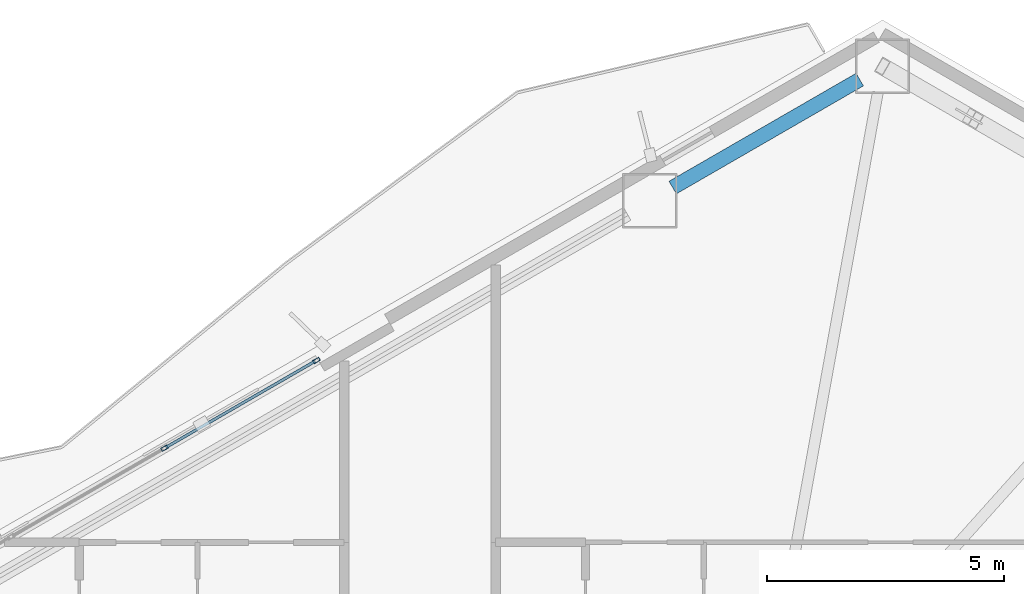
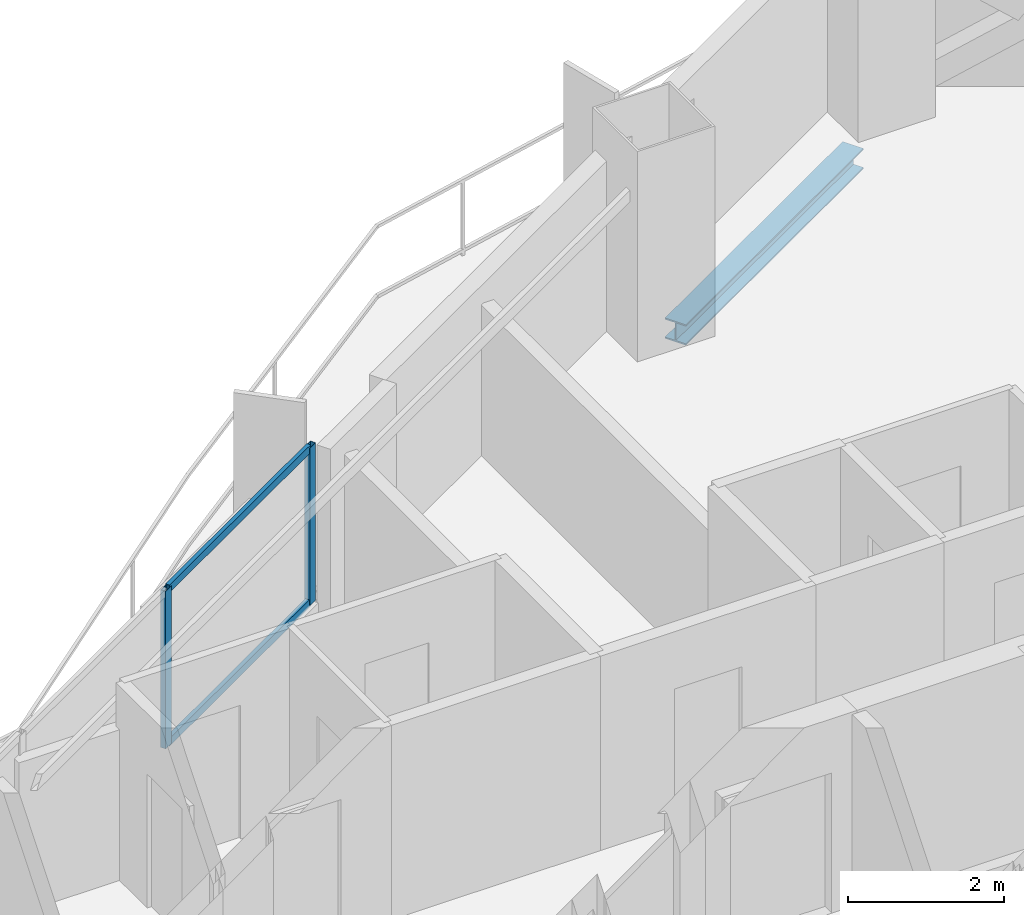
# One storey, part 13 of 22: 4 members, 1 beam, 1 element without a shape of its own.
"""IFC4 building model written with IfcOpenShell, lengths in metres."""

from ifc_helpers import new_model, si_unit, direction, frame, origin, origin_2d, place, context, subcontext, project, spatial, hollow_rectangle, i_section, extrude, material, layer, layer_set, material_profile, profile_set, type_object, element, aggregate, save


model = new_model("IFC4")

# Units and contexts
model_context = context("Model", 3, precision=1e-05, world=origin(), true_north=direction((0.0, 1.0)))
body_context = subcontext(model_context, "Body", "Model", "MODEL_VIEW")
ifc_project = project(units=[si_unit("LENGTHUNIT", "METRE"), si_unit("AREAUNIT", "SQUARE_METRE"), si_unit("VOLUMEUNIT", "CUBIC_METRE"), si_unit("PLANEANGLEUNIT", "RADIAN"), si_unit("MASSUNIT", "GRAM", prefix="KILO")], contexts=[model_context])

# Site, building, storey
site_placement = place(None, origin())
site = spatial("IfcSite", under=ifc_project, at=site_placement, CompositionType="ELEMENT")
building_placement = place(site_placement, origin())
building = spatial("IfcBuilding", under=site, at=building_placement, Name="Mersakhor Tower and Convention Hall", CompositionType="ELEMENT")
storey_placement = place(building_placement, frame((0.0, 0.0, 103.199951171875)))
storey = spatial("IfcBuildingStorey", under=building, at=storey_placement, Name="L28", CompositionType="ELEMENT", Elevation=103.199951171875)

# Beam
ifc_material_1 = material(Name="Steel S355", Category="steel")
ifc_material_profile_1 = material_profile(ifc_material_1, i_section(OverallWidth=0.30908203125, OverallDepth=0.320556640625, WebThickness=0.013916015625, FlangeThickness=0.021728515625, at=origin_2d()), Name="UC 305x305x137")
ifc_profile_set_1 = profile_set([ifc_material_profile_1], Name="Steel S355")
beam_type = type_object("IfcBeamType", Name="BM-SPD-UC305", PredefinedType="SPANDREL", material=ifc_profile_set_1)
beam_placement = place(storey_placement, frame((34.343505859375, 45.34814453125, -0.41015625), z_axis=(0.866046694585, 0.499963121439, 0.0), x_axis=(-0.499963121439, 0.866046694585, 0.0)))
element("IfcBeam", 1, at=beam_placement, inside=storey, type_object=beam_type, Name="L28 Perimeter Spandrel Beam SPB-03", PredefinedType="SPANDREL", context=body_context, shape_type="SweptSolid", body=[
    extrude(i_section(OverallWidth=0.30908203125, OverallDepth=0.320556640625, WebThickness=0.013916015625, FlangeThickness=0.021728515625, at=origin_2d()), origin(), (0.0, 0.0, 1.0), 4.566162109375),
])

# Curtain wall, members
ifc_material_2 = material(Name="Dark solar low-E aluminium curtain wall", Category="aluminium")
ifc_layer = layer(ifc_material_2, 0.159912109375)
ifc_layer_set = layer_set([ifc_layer], Name="Dark solar low-E aluminium curtain wall")
curtain_wall_type = type_object("IfcCurtainWallType", Name="CW-SYS-01", PredefinedType="USERDEFINED", material=ifc_layer_set)
curtain_wall_placement = place(storey_placement, origin())
curtain_wall = element("IfcCurtainWall", 2, at=curtain_wall_placement, inside=storey, type_object=curtain_wall_type, Name="L28 Dark-Glass Curtain Wall F1-B2", ObjectType="CURTAIN WALL", PredefinedType="USERDEFINED")
ifc_material_3 = material(Name="Anodised aluminium EN AW-6063 T6", Category="aluminium")
ifc_material_profile_2 = material_profile(ifc_material_3, hollow_rectangle(XDim=0.074951171875, YDim=0.14990234375, WallThickness=0.00634765625, at=origin_2d()), Name="RHS 150x75x6.3")
ifc_profile_set_2 = profile_set([ifc_material_profile_2], Name="Anodised aluminium EN AW-6063 T6")
member_type_1 = type_object("IfcMemberType", Name="CWM-150x75", PredefinedType="MULLION", material=ifc_profile_set_2)
member_1_placement = place(storey_placement, frame((23.603515625, 39.840087890625, 0.199951171875), z_axis=(0.0, 0.0, 1.0), x_axis=(-0.499997904985, 0.866026613339, 0.0)))
member_1 = element("IfcMember", 3, at=member_1_placement, type_object=member_type_1, Name="CW-01 mullion 3", PredefinedType="MULLION", context=body_context, shape_type="SweptSolid", body=[
    extrude(hollow_rectangle(XDim=0.074951171875, YDim=0.14990234375, WallThickness=0.00634765625, at=origin_2d()), origin(), (0.0, 0.0, 1.0), 2.47021484375),
])
member_2_placement = place(storey_placement, frame((26.812744140625, 41.69287109375, 0.199951171875), z_axis=(0.0, 0.0, 1.0), x_axis=(-0.499997904985, 0.866026613339, 0.0)))
member_2 = element("IfcMember", 4, at=member_2_placement, type_object=member_type_1, Name="CW-01 mullion 4", PredefinedType="MULLION", context=body_context, shape_type="SweptSolid", body=[
    extrude(hollow_rectangle(XDim=0.074951171875, YDim=0.14990234375, WallThickness=0.00634765625, at=origin_2d()), origin(), (0.0, 0.0, 1.0), 2.47021484375),
])
ifc_material_4 = material(Name="Anodised aluminium EN AW-6063 T6", Category="aluminium")
ifc_material_profile_3 = material_profile(ifc_material_4, hollow_rectangle(XDim=0.06005859375, YDim=0.1201171875, WallThickness=0.0048828125, at=origin_2d()), Name="RHS 120x60x5")
ifc_profile_set_3 = profile_set([ifc_material_profile_3], Name="Anodised aluminium EN AW-6063 T6")
member_type_2 = type_object("IfcMemberType", Name="CWT-120x60", PredefinedType="USERDEFINED", material=ifc_profile_set_3)
member_3_placement = place(storey_placement, frame((23.635986328125, 39.85888671875, 0.22998046875), z_axis=(0.866016497289, 0.500015426185, 0.0), x_axis=(-0.500015426185, 0.866016497289, 0.0)))
member_3 = element("IfcMember", 5, at=member_3_placement, type_object=member_type_2, Name="CW-01 transom 3.1", ObjectType="TRANSOM", PredefinedType="USERDEFINED", context=body_context, shape_type="SweptSolid", body=[
    extrude(hollow_rectangle(XDim=0.06005859375, YDim=0.1201171875, WallThickness=0.0048828125, at=origin_2d()), origin(), (0.0, 0.0, 1.0), 3.630859375),
])
member_4_placement = place(storey_placement, frame((23.635986328125, 39.85888671875, 2.64013671875), z_axis=(0.866016497289, 0.500015426185, 0.0), x_axis=(-0.500015426185, 0.866016497289, 0.0)))
member_4 = element("IfcMember", 6, at=member_4_placement, type_object=member_type_2, Name="CW-01 transom 3.2", ObjectType="TRANSOM", PredefinedType="USERDEFINED", context=body_context, shape_type="SweptSolid", body=[
    extrude(hollow_rectangle(XDim=0.06005859375, YDim=0.1201171875, WallThickness=0.0048828125, at=origin_2d()), origin(), (0.0, 0.0, 1.0), 3.630859375),
])
aggregate(curtain_wall, [member_1, member_2, member_3, member_4])

save(model, "model.ifc")
